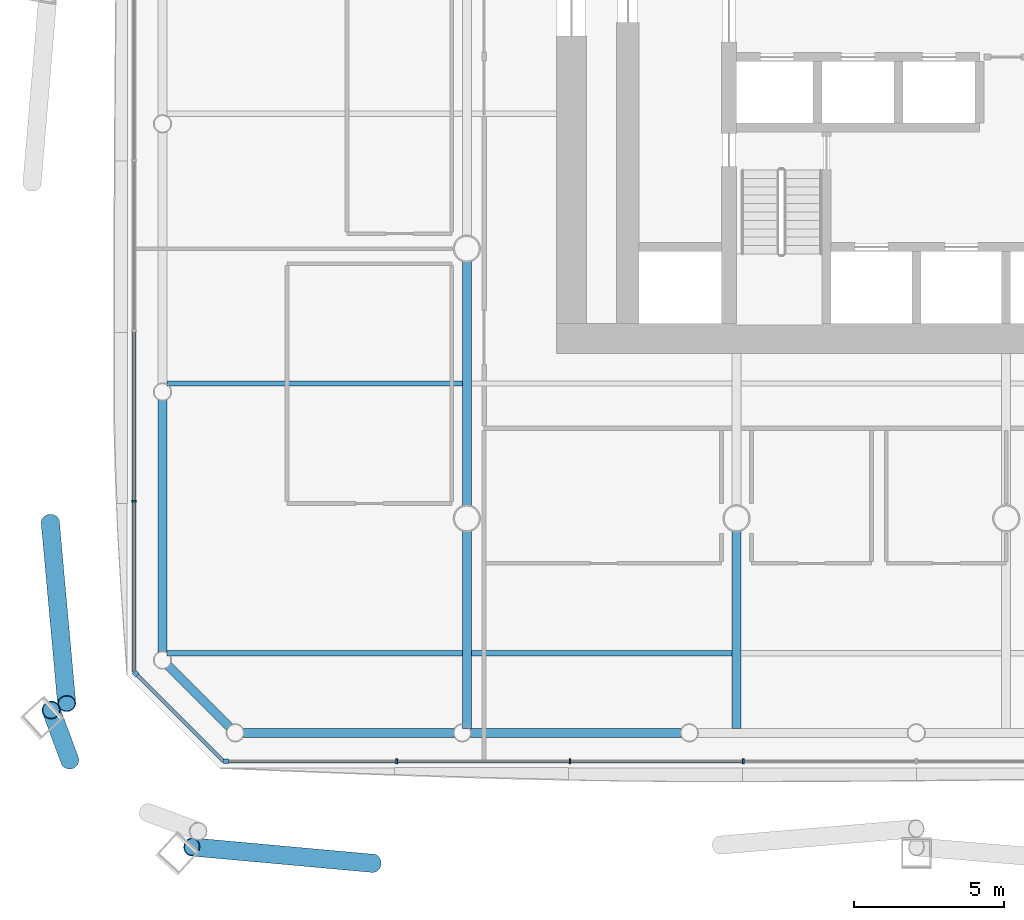
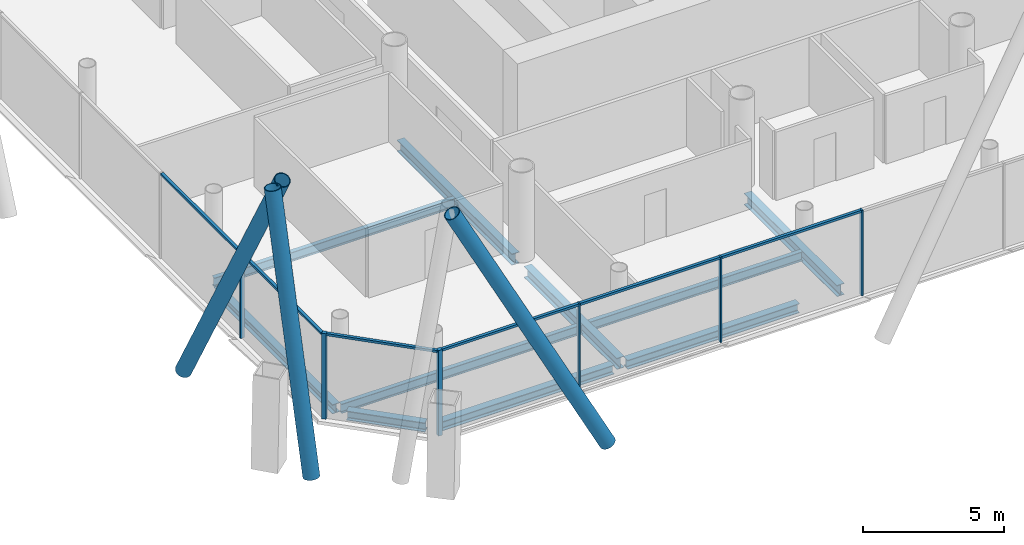
# One storey, part 2 of 21: 15 members, 10 beams, 3 elements without a shape of their own.
"""IFC4 building model written with IfcOpenShell, lengths in metres."""

from ifc_helpers import new_model, si_unit, direction, frame, origin, origin_2d, place, context, subcontext, project, spatial, rectangle, hollow_circle, i_section, extrude, material, material_profile, profile_set, type_object, element, aggregate, save


model = new_model("IFC4")

# Units and contexts
model_context = context("Model", 3, precision=1e-05, world=origin(), true_north=direction((0.0, 1.0)))
body_context = subcontext(model_context, "Body", "Model", "MODEL_VIEW")
ifc_project = project(units=[si_unit("LENGTHUNIT", "METRE"), si_unit("AREAUNIT", "SQUARE_METRE"), si_unit("VOLUMEUNIT", "CUBIC_METRE"), si_unit("PLANEANGLEUNIT", "RADIAN"), si_unit("MASSUNIT", "GRAM", prefix="KILO")], contexts=[model_context])

# Site, building, storey
site_placement = place(None, origin())
site = spatial("IfcSite", under=ifc_project, at=site_placement, CompositionType="ELEMENT")
building_placement = place(site_placement, origin())
building = spatial("IfcBuilding", under=site, at=building_placement, Name="Tskaro Facet Tower", CompositionType="ELEMENT")
storey_placement = place(building_placement, frame((0.0, 0.0, 45.89990234375)))
storey = spatial("IfcBuildingStorey", under=building, at=storey_placement, Name="L10", CompositionType="ELEMENT", Elevation=45.89990234375)

# Members
ifc_material_1 = material(Name="Steel S355J2H", Category="steel")
ifc_material_profile_1 = material_profile(ifc_material_1, hollow_circle(Radius=0.304931640625, WallThickness=0.030029296875, at=origin_2d()), Name="CHS 610x30")
ifc_profile_set_1 = profile_set([ifc_material_profile_1], Name="Steel S355J2H")
member_type_1 = type_object("IfcMemberType", Name="CHS 610x30 brace", PredefinedType="BRACE", material=ifc_profile_set_1)
for number, where, z_axis, x_axis, name in (
    (1, (-21.135009765625, -29.51171875, 0.0), (-0.458613016926, 0.041545597616, 0.887664387043), (-0.090220221622, -0.995921840111, 0.0), "CHS 610x30 XB01B/1"),
    (2, (-31.90185546875, -18.135009765625, 0.0), (0.041564087959, -0.458612663936, 0.887663703815), (0.995918225195, 0.090260117017, 0.0), "CHS 610x30 XB11A/1"),
):
    element("IfcMember", number, at=place(storey_placement, frame(where, z_axis=z_axis, x_axis=x_axis)), inside=storey, type_object=member_type_1, Name=name, PredefinedType="BRACE", context=body_context, shape_type="SweptSolid", body=[
        extrude(hollow_circle(Radius=0.304931640625, WallThickness=0.030029296875, at=origin_2d()), origin(), (0.0, 0.0, 1.0), 13.180908203125),
    ])
member_1_placement = place(storey_placement, frame((-31.255126953125, -26.063232421875, 0.0), z_axis=(-0.052357169135, 0.140898134434, 0.988638681497), x_axis=(-0.937374066257, -0.348324360199, 0.0)))
element("IfcMember", 3, at=member_1_placement, inside=storey, type_object=member_type_1, Name="CHS 610x30 XB12B/1", PredefinedType="BRACE", context=body_context, shape_type="SweptSolid", body=[
    extrude(hollow_circle(Radius=0.304931640625, WallThickness=0.030029296875, at=origin_2d()), origin(), (0.0, 0.0, 1.0), 11.834716796875),
])

# Curtain wall, member
ifc_material_2 = material(Name="Bronze anodised aluminium 6063-T6", Category="aluminium")
curtain_wall_type = type_object("IfcCurtainWallType", Name="Bronze office curtain wall (FW1)", PredefinedType="NOTDEFINED", material=ifc_material_2)
curtain_wall_1_placement = place(storey_placement, origin())
curtain_wall_1 = element("IfcCurtainWall", 4, at=curtain_wall_1_placement, inside=storey, type_object=curtain_wall_type, Name="FW1 south facet L10", PredefinedType="NOTDEFINED")
ifc_material_profile_2 = material_profile(ifc_material_2, rectangle(XDim=0.159912109375, YDim=0.159912109375, at=origin_2d()), Name="Corner post 160x160")
ifc_profile_set_2 = profile_set([ifc_material_profile_2], Name="Bronze anodised aluminium 6063-T6")
member_type_2 = type_object("IfcMemberType", Name="FW1 bronze corner post 160x160", PredefinedType="MULLION", material=ifc_profile_set_2)
member_2_placement = place(storey_placement, frame((-26.0419921875, -26.10693359375, 0.0), z_axis=(0.0, 0.0, 1.0), x_axis=(1.0, 0.0, 0.0)))
member_2 = element("IfcMember", 5, at=member_2_placement, type_object=member_type_2, Name="FW1 south corner post", PredefinedType="MULLION", context=body_context, shape_type="SweptSolid", body=[
    extrude(rectangle(XDim=0.159912109375, YDim=0.159912109375, at=origin_2d()), origin(), (0.0, 0.0, 1.0), 3.7001953125),
])

curtain_wall_2_placement = place(storey_placement, origin())
curtain_wall_2 = element("IfcCurtainWall", 6, at=curtain_wall_2_placement, inside=storey, type_object=curtain_wall_type, Name="FW1 south-west facet L10", PredefinedType="NOTDEFINED")
member_3_placement = place(storey_placement, frame((-29.050537109375, -23.178466796875, 0.0), z_axis=(0.0, 0.0, 1.0), x_axis=(0.707106781187, -0.707106781187, 0.0)))
member_3 = element("IfcMember", 7, at=member_3_placement, type_object=member_type_2, Name="FW1 south-west corner post", PredefinedType="MULLION", context=body_context, shape_type="SweptSolid", body=[
    extrude(rectangle(XDim=0.159912109375, YDim=0.159912109375, at=origin_2d()), origin(), (0.0, 0.0, 1.0), 3.7001953125),
])

# Member
ifc_material_profile_3 = material_profile(ifc_material_2, rectangle(XDim=0.06005859375, YDim=0.159912109375, at=origin_2d()), Name="Mullion 60x160")
ifc_profile_set_3 = profile_set([ifc_material_profile_3], Name="Bronze anodised aluminium 6063-T6")
member_type_3 = type_object("IfcMemberType", Name="FW1 bronze mullion 60x160", PredefinedType="MULLION", material=ifc_profile_set_3)
member_4_placement = place(storey_placement, frame((-20.341552734375, -26.10693359375, 0.0), z_axis=(0.0, 0.0, 1.0), x_axis=(1.0, 0.0, 0.0)))
member_4 = element("IfcMember", 8, at=member_4_placement, type_object=member_type_3, Name="FW1 south mullion 1", PredefinedType="MULLION", context=body_context, shape_type="SweptSolid", body=[
    extrude(rectangle(XDim=0.06005859375, YDim=0.159912109375, at=origin_2d()), origin(), (0.0, 0.0, 1.0), 3.7001953125),
])

member_5_placement = place(storey_placement, frame((-14.56103515625, -26.10693359375, 0.0), z_axis=(0.0, 0.0, 1.0), x_axis=(1.0, 0.0, 0.0)))
member_5 = element("IfcMember", 9, at=member_5_placement, type_object=member_type_3, Name="FW1 south mullion 2", PredefinedType="MULLION", context=body_context, shape_type="SweptSolid", body=[
    extrude(rectangle(XDim=0.06005859375, YDim=0.159912109375, at=origin_2d()), origin(), (0.0, 0.0, 1.0), 3.7001953125),
])

member_6_placement = place(storey_placement, frame((-8.780517578125, -26.10693359375, 0.0), z_axis=(0.0, 0.0, 1.0), x_axis=(1.0, 0.0, 0.0)))
member_6 = element("IfcMember", 10, at=member_6_placement, type_object=member_type_3, Name="FW1 south mullion 3", PredefinedType="MULLION", context=body_context, shape_type="SweptSolid", body=[
    extrude(rectangle(XDim=0.06005859375, YDim=0.159912109375, at=origin_2d()), origin(), (0.0, 0.0, 1.0), 3.7001953125),
])

# Curtain wall, member
curtain_wall_3_placement = place(storey_placement, origin())
curtain_wall_3 = element("IfcCurtainWall", 11, at=curtain_wall_3_placement, inside=storey, type_object=curtain_wall_type, Name="FW1 west facet L10", PredefinedType="NOTDEFINED")
member_7_placement = place(storey_placement, frame((-29.10693359375, -17.43115234375, 0.0), z_axis=(0.0, 0.0, 1.0), x_axis=(0.0, -1.0, 0.0)))
member_7 = element("IfcMember", 12, at=member_7_placement, type_object=member_type_3, Name="FW1 west mullion 7", PredefinedType="MULLION", context=body_context, shape_type="SweptSolid", body=[
    extrude(rectangle(XDim=0.06005859375, YDim=0.159912109375, at=origin_2d()), origin(), (0.0, 0.0, 1.0), 3.7001953125),
])

# Member
ifc_material_profile_4 = material_profile(ifc_material_2, rectangle(XDim=0.1201171875, YDim=0.10009765625, at=origin_2d()), Name="Transom 120x100")
ifc_profile_set_4 = profile_set([ifc_material_profile_4], Name="Bronze anodised aluminium 6063-T6")
member_type_4 = type_object("IfcMemberType", Name="FW1 bronze transom 120x100", PredefinedType="USERDEFINED", material=ifc_profile_set_4)
member_8_placement = place(storey_placement, frame((-25.9619140625, -26.10693359375, 3.650146484375), z_axis=(1.0, 0.0, 0.0), x_axis=(0.0, 1.0, 0.0)))
member_8 = element("IfcMember", 13, at=member_8_placement, type_object=member_type_4, Name="FW1 south transom 1.1", ObjectType="TRANSOM", PredefinedType="USERDEFINED", context=body_context, shape_type="SweptSolid", body=[
    extrude(rectangle(XDim=0.1201171875, YDim=0.10009765625, at=origin_2d()), origin(), (0.0, 0.0, 1.0), 5.59033203125),
])

member_9_placement = place(storey_placement, frame((-20.3115234375, -26.10693359375, 3.650146484375), z_axis=(1.0, 0.0, 0.0), x_axis=(0.0, 1.0, 0.0)))
member_9 = element("IfcMember", 14, at=member_9_placement, type_object=member_type_4, Name="FW1 south transom 2.1", ObjectType="TRANSOM", PredefinedType="USERDEFINED", context=body_context, shape_type="SweptSolid", body=[
    extrude(rectangle(XDim=0.1201171875, YDim=0.10009765625, at=origin_2d()), origin(), (0.0, 0.0, 1.0), 5.720458984375),
])

member_10_placement = place(storey_placement, frame((-14.531005859375, -26.10693359375, 3.650146484375), z_axis=(1.0, 0.0, 0.0), x_axis=(0.0, 1.0, 0.0)))
member_10 = element("IfcMember", 15, at=member_10_placement, type_object=member_type_4, Name="FW1 south transom 3.1", ObjectType="TRANSOM", PredefinedType="USERDEFINED", context=body_context, shape_type="SweptSolid", body=[
    extrude(rectangle(XDim=0.1201171875, YDim=0.10009765625, at=origin_2d()), origin(), (0.0, 0.0, 1.0), 5.720458984375),
])

aggregate(curtain_wall_1, [member_2, member_4, member_5, member_6, member_8, member_9, member_10])

member_11_placement = place(storey_placement, frame((-29.10693359375, -11.770263671875, 3.650146484375), z_axis=(0.0, -1.0, 0.0), x_axis=(1.0, 0.0, 0.0)))
member_11 = element("IfcMember", 16, at=member_11_placement, type_object=member_type_4, Name="FW1 west transom 7.1", ObjectType="TRANSOM", PredefinedType="USERDEFINED", context=body_context, shape_type="SweptSolid", body=[
    extrude(rectangle(XDim=0.1201171875, YDim=0.10009765625, at=origin_2d()), origin(), (0.0, 0.0, 1.0), 5.630859375),
])

member_12_placement = place(storey_placement, frame((-29.10693359375, -17.461181640625, 3.650146484375), z_axis=(0.0, -1.0, 0.0), x_axis=(1.0, 0.0, 0.0)))
member_12 = element("IfcMember", 17, at=member_12_placement, type_object=member_type_4, Name="FW1 west transom 8.1", ObjectType="TRANSOM", PredefinedType="USERDEFINED", context=body_context, shape_type="SweptSolid", body=[
    extrude(rectangle(XDim=0.1201171875, YDim=0.10009765625, at=origin_2d()), origin(), (0.0, 0.0, 1.0), 5.660888671875),
])

aggregate(curtain_wall_3, [member_7, member_11, member_12])

member_13_placement = place(storey_placement, frame((-28.993896484375, -23.235107421875, 3.650146484375), z_axis=(0.707106781187, -0.707106781187, 0.0), x_axis=(0.707106781187, 0.707106781187, 0.0)))
member_13 = element("IfcMember", 18, at=member_13_placement, type_object=member_type_4, Name="FW1 south-west transom 1.1", ObjectType="TRANSOM", PredefinedType="USERDEFINED", context=body_context, shape_type="SweptSolid", body=[
    extrude(rectangle(XDim=0.1201171875, YDim=0.10009765625, at=origin_2d()), origin(), (0.0, 0.0, 1.0), 4.061279296875),
])

aggregate(curtain_wall_2, [member_3, member_13])

# Beams
ifc_material_3 = material(Name="Steel S355J2", Category="steel")
ifc_material_profile_5 = material_profile(ifc_material_3, i_section(OverallWidth=0.300048828125, OverallDepth=0.39990234375, WebThickness=0.013427734375, FlangeThickness=0.02392578125, FilletRadius=0.027099609375, at=origin_2d()), Name="HE 400 B")
ifc_profile_set_5 = profile_set([ifc_material_profile_5], Name="Steel S355J2")
beam_type_1 = type_object("IfcBeamType", Name="HE 400 B ring beam", PredefinedType="BEAM", material=ifc_profile_set_5)
beam_1_placement = place(storey_placement, frame((-25.4541015625, -25.156982421875, -0.33984375), z_axis=(1.0, 0.0, 0.0), x_axis=(0.0, 1.0, 0.0)))
element("IfcBeam", 19, at=beam_1_placement, inside=storey, type_object=beam_type_1, Name="HE 400 B EB1-1", PredefinedType="BEAM", context=body_context, shape_type="SweptSolid", body=[
    extrude(i_section(OverallWidth=0.300048828125, OverallDepth=0.39990234375, WebThickness=0.013427734375, FlangeThickness=0.02392578125, FilletRadius=0.027099609375, at=origin_2d()), origin(), (0.0, 0.0, 1.0), 7.026123046875),
])
beam_2_placement = place(storey_placement, frame((-17.8779296875, -25.156982421875, -0.33984375), z_axis=(1.0, 0.0, 0.0), x_axis=(0.0, 1.0, 0.0)))
element("IfcBeam", 20, at=beam_2_placement, inside=storey, type_object=beam_type_1, Name="HE 400 B EB2-1", PredefinedType="BEAM", context=body_context, shape_type="SweptSolid", body=[
    extrude(i_section(OverallWidth=0.300048828125, OverallDepth=0.39990234375, WebThickness=0.013427734375, FlangeThickness=0.02392578125, FilletRadius=0.027099609375, at=origin_2d()), origin(), (0.0, 0.0, 1.0), 7.02685546875),
])
beam_3_placement = place(storey_placement, frame((-28.156982421875, -14.055908203125, -0.33984375), z_axis=(0.0, -1.0, 0.0), x_axis=(1.0, 0.0, 0.0)))
element("IfcBeam", 21, at=beam_3_placement, inside=storey, type_object=beam_type_1, Name="HE 400 B EB24-1", PredefinedType="BEAM", context=body_context, shape_type="SweptSolid", body=[
    extrude(i_section(OverallWidth=0.300048828125, OverallDepth=0.39990234375, WebThickness=0.013427734375, FlangeThickness=0.02392578125, FilletRadius=0.027099609375, at=origin_2d()), origin(), (0.0, 0.0, 1.0), 8.398193359375),
])
beam_4_placement = place(storey_placement, frame((-27.962646484375, -22.92333984375, -0.33984375), z_axis=(0.707106781187, -0.707106781187, 0.0), x_axis=(0.707106781187, 0.707106781187, 0.0)))
element("IfcBeam", 22, at=beam_4_placement, inside=storey, type_object=beam_type_1, Name="HE 400 B EB25-1", PredefinedType="BEAM", context=body_context, shape_type="SweptSolid", body=[
    extrude(i_section(OverallWidth=0.300048828125, OverallDepth=0.39990234375, WebThickness=0.013427734375, FlangeThickness=0.02392578125, FilletRadius=0.027099609375, at=origin_2d()), origin(), (0.0, 0.0, 1.0), 2.884033203125),
])
ifc_material_profile_6 = material_profile(ifc_material_3, i_section(OverallWidth=0.300048828125, OverallDepth=0.489990234375, WebThickness=0.011962890625, FlangeThickness=0.02294921875, FilletRadius=0.027099609375, at=origin_2d()), Name="HE 500 A")
ifc_profile_set_6 = profile_set([ifc_material_profile_6], Name="Steel S355J2")
beam_type_2 = type_object("IfcBeamType", Name="HE 500 A girder", PredefinedType="BEAM", material=ifc_profile_set_6)
beam_5_placement = place(storey_placement, frame((-18.0, -25.007080078125, -0.385009765625), z_axis=(0.0, 1.0, 0.0), x_axis=(-1.0, 0.0, 0.0)))
element("IfcBeam", 23, at=beam_5_placement, inside=storey, type_object=beam_type_2, Name="HE 500 A GB2-1-1", PredefinedType="BEAM", context=body_context, shape_type="SweptSolid", body=[
    extrude(i_section(OverallWidth=0.300048828125, OverallDepth=0.489990234375, WebThickness=0.011962890625, FlangeThickness=0.02294921875, FilletRadius=0.027099609375, at=origin_2d()), origin(), (0.0, 0.0, 1.0), 6.579833984375),
])
beam_6_placement = place(storey_placement, frame((-18.0, -17.57275390625, -0.385009765625), z_axis=(0.0, 1.0, 0.0), x_axis=(-1.0, 0.0, 0.0)))
element("IfcBeam", 24, at=beam_6_placement, inside=storey, type_object=beam_type_2, Name="HE 500 A GB2-2-1", PredefinedType="BEAM", context=body_context, shape_type="SweptSolid", body=[
    extrude(i_section(OverallWidth=0.300048828125, OverallDepth=0.489990234375, WebThickness=0.011962890625, FlangeThickness=0.02294921875, FilletRadius=0.027099609375, at=origin_2d()), origin(), (0.0, 0.0, 1.0), 8.1455078125),
])
beam_7_placement = place(storey_placement, frame((-9.0, -25.007080078125, -0.385009765625), z_axis=(0.0, 1.0, 0.0), x_axis=(-1.0, 0.0, 0.0)))
element("IfcBeam", 25, at=beam_7_placement, inside=storey, type_object=beam_type_2, Name="HE 500 A GB3-1-1", PredefinedType="BEAM", context=body_context, shape_type="SweptSolid", body=[
    extrude(i_section(OverallWidth=0.300048828125, OverallDepth=0.489990234375, WebThickness=0.011962890625, FlangeThickness=0.02294921875, FilletRadius=0.027099609375, at=origin_2d()), origin(), (0.0, 0.0, 1.0), 6.579833984375),
])
ifc_material_profile_7 = material_profile(ifc_material_3, i_section(OverallWidth=0.179931640625, OverallDepth=0.39990234375, WebThickness=0.008544921875, FlangeThickness=0.013427734375, FilletRadius=0.02099609375, at=origin_2d()), Name="IPE 400")
ifc_profile_set_7 = profile_set([ifc_material_profile_7], Name="Steel S355J2")
beam_type_3 = type_object("IfcBeamType", Name="IPE 400 secondary beam", PredefinedType="BEAM", material=ifc_profile_set_7)
beam_8_placement = place(storey_placement, frame((-28.007080078125, -22.5, -0.33984375), z_axis=(1.0, 0.0, 0.0), x_axis=(0.0, 1.0, 0.0)))
element("IfcBeam", 26, at=beam_8_placement, inside=storey, type_object=beam_type_3, Name="IPE 400 SB1a-1-1", PredefinedType="BEAM", context=body_context, shape_type="SweptSolid", body=[
    extrude(i_section(OverallWidth=0.179931640625, OverallDepth=0.39990234375, WebThickness=0.008544921875, FlangeThickness=0.013427734375, FilletRadius=0.02099609375, at=origin_2d()), origin(), (0.0, 0.0, 1.0), 9.857177734375),
])
beam_9_placement = place(storey_placement, frame((-17.85009765625, -22.5, -0.33984375), z_axis=(1.0, 0.0, 0.0), x_axis=(0.0, 1.0, 0.0)))
element("IfcBeam", 27, at=beam_9_placement, inside=storey, type_object=beam_type_3, Name="IPE 400 SB1a-2-1", PredefinedType="BEAM", context=body_context, shape_type="SweptSolid", body=[
    extrude(i_section(OverallWidth=0.179931640625, OverallDepth=0.39990234375, WebThickness=0.008544921875, FlangeThickness=0.013427734375, FilletRadius=0.02099609375, at=origin_2d()), origin(), (0.0, 0.0, 1.0), 8.7001953125),
])
beam_10_placement = place(storey_placement, frame((-28.007080078125, -13.5, -0.33984375), z_axis=(1.0, 0.0, 0.0), x_axis=(0.0, 1.0, 0.0)))
element("IfcBeam", 28, at=beam_10_placement, inside=storey, type_object=beam_type_3, Name="IPE 400 SB2a-1-1", PredefinedType="BEAM", context=body_context, shape_type="SweptSolid", body=[
    extrude(i_section(OverallWidth=0.179931640625, OverallDepth=0.39990234375, WebThickness=0.008544921875, FlangeThickness=0.013427734375, FilletRadius=0.02099609375, at=origin_2d()), origin(), (0.0, 0.0, 1.0), 9.857177734375),
])

save(model, "model.ifc")
